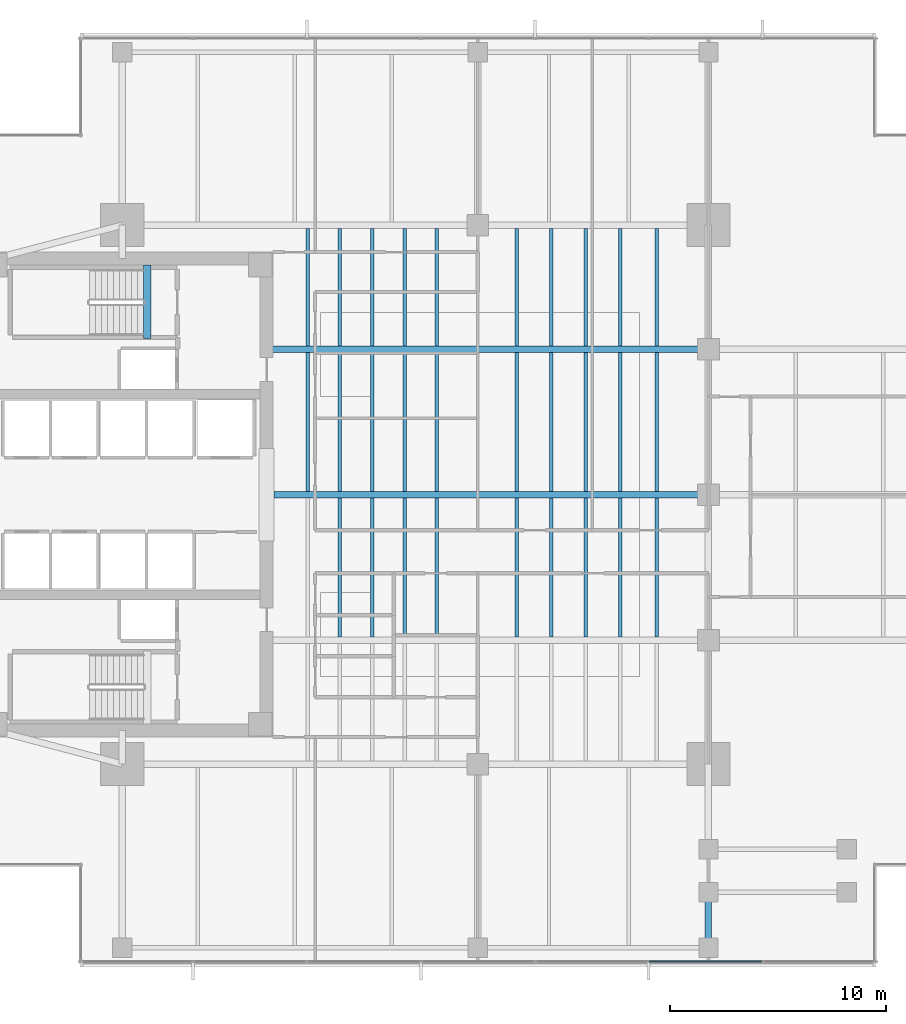
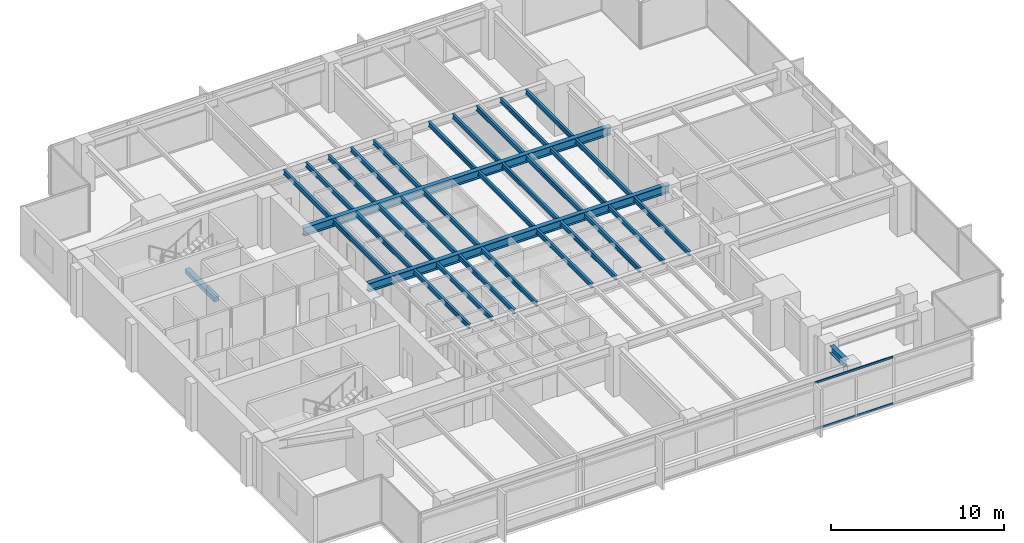
# One storey, part 4 of 15: 33 beams, 2 members, 1 element without a shape of its own.
"""IFC4 building model written with IfcOpenShell, lengths in metres."""

from ifc_helpers import new_model, si_unit, direction, frame, origin, origin_2d, place, context, subcontext, project, spatial, rectangle, i_section, extrude, material, layer, layer_set, material_profile, profile_set, type_object, element, aggregate, save


model = new_model("IFC4")

# Units and contexts
model_context = context("Model", 3, precision=1e-05, world=origin(), true_north=direction((0.0, 1.0)))
body_context = subcontext(model_context, "Body", "Model", "MODEL_VIEW")
ifc_project = project(units=[si_unit("LENGTHUNIT", "METRE"), si_unit("AREAUNIT", "SQUARE_METRE"), si_unit("VOLUMEUNIT", "CUBIC_METRE"), si_unit("PLANEANGLEUNIT", "RADIAN"), si_unit("MASSUNIT", "GRAM", prefix="KILO")], contexts=[model_context])

# Site, building, storey
site_placement = place(None, origin())
site = spatial("IfcSite", under=ifc_project, at=site_placement, CompositionType="ELEMENT")
building_placement = place(site_placement, origin())
building = spatial("IfcBuilding", under=site, at=building_placement, Name="Kinhvarn Gate Tower", CompositionType="ELEMENT")
storey_placement = place(building_placement, frame((0.0, 0.0, 169.699951171875)))
storey = spatial("IfcBuildingStorey", under=building, at=storey_placement, Name="L45", CompositionType="ELEMENT", Elevation=169.699951171875)

# Beam
ifc_material_1 = material(Name="Concrete C50/60", Category="concrete")
ifc_material_profile_1 = material_profile(ifc_material_1, rectangle(XDim=0.340087890625, YDim=0.320068359375, at=origin_2d()), Name="RC 340x320")
ifc_profile_set_1 = profile_set([ifc_material_profile_1], Name="Concrete C50/60")
beam_type_1 = type_object("IfcBeamType", Name="BM-LND-500", PredefinedType="BEAM", material=ifc_profile_set_1)
beam_1_placement = place(storey_placement, frame((12.1650390625, 32.5, -0.159912109375), z_axis=(0.0, 1.0, 0.0), x_axis=(-1.0, 0.0, 0.0)))
element("IfcBeam", 1, at=beam_1_placement, inside=storey, type_object=beam_type_1, Name="Stair ST2 Landing Nosing Beam (L45)", PredefinedType="BEAM", context=body_context, shape_type="SweptSolid", body=[
    extrude(rectangle(XDim=0.340087890625, YDim=0.320068359375, at=origin_2d()), origin(), (0.0, 0.0, 1.0), 3.39990234375),
])

# Curtain wall, members
ifc_material_2 = material(Name="Anodised aluminium AW-6063", Category="aluminium")
ifc_layer = layer(ifc_material_2, 0.179931640625)
ifc_layer_set = layer_set([ifc_layer], Name="Anodised aluminium AW-6063")
curtain_wall_type = type_object("IfcCurtainWallType", Name="CW-SYS-3", PredefinedType="NOTDEFINED", material=ifc_layer_set)
curtain_wall_placement = place(storey_placement, origin())
curtain_wall = element("IfcCurtainWall", 2, at=curtain_wall_placement, inside=storey, type_object=curtain_wall_type, Name="Curtain Wall CW3 (L45)", PredefinedType="NOTDEFINED")
ifc_material_profile_2 = material_profile(ifc_material_2, rectangle(XDim=0.070068359375, YDim=0.139892578125, at=origin_2d()), Name="ALU 70x140")
ifc_profile_set_2 = profile_set([ifc_material_profile_2], Name="Anodised aluminium AW-6063")
member_type = type_object("IfcMemberType", Name="CW-TRN-140", PredefinedType="USERDEFINED", material=ifc_profile_set_2)
member_1_placement = place(storey_placement, frame((35.461181640625, 3.590087890625, 0.03515625), z_axis=(1.0, 0.0, 0.0), x_axis=(0.0, 1.0, 0.0)))
member_1 = element("IfcMember", 3, at=member_1_placement, type_object=member_type, Name="CW3 transom 6.1", ObjectType="TRANSOM", PredefinedType="USERDEFINED", context=body_context, shape_type="SweptSolid", body=[
    extrude(rectangle(XDim=0.070068359375, YDim=0.139892578125, at=origin_2d()), origin(), (0.0, 0.0, 1.0), 5.220703125),
])
member_2_placement = place(storey_placement, frame((35.461181640625, 3.590087890625, 3.31494140625), z_axis=(1.0, 0.0, 0.0), x_axis=(0.0, 1.0, 0.0)))
member_2 = element("IfcMember", 4, at=member_2_placement, type_object=member_type, Name="CW3 transom 6.2", ObjectType="TRANSOM", PredefinedType="USERDEFINED", context=body_context, shape_type="SweptSolid", body=[
    extrude(rectangle(XDim=0.070068359375, YDim=0.139892578125, at=origin_2d()), origin(), (0.0, 0.0, 1.0), 5.220703125),
])
aggregate(curtain_wall, [member_1, member_2])

# Beams
ifc_material_3 = material(Name="Steel S355", Category="steel")
ifc_material_profile_3 = material_profile(ifc_material_3, i_section(OverallWidth=0.300048828125, OverallDepth=0.5, WebThickness=0.014404296875, FlangeThickness=0.028076171875, at=origin_2d()), Name="HEB 500")
ifc_profile_set_3 = profile_set([ifc_material_profile_3], Name="Steel S355")
beam_type_2 = type_object("IfcBeamType", Name="STL-HEB500", PredefinedType="BEAM", material=ifc_profile_set_3)
beam_2_placement = place(storey_placement, frame((38.199951171875, 4.655029296875, 3.10009765625), z_axis=(0.0, 1.0, 0.0), x_axis=(-1.0, 0.0, 0.0)))
element("IfcBeam", 5, at=beam_2_placement, inside=storey, type_object=beam_type_2, Name="Floor Beam PG-14 (L45 MCE-S-A0)", PredefinedType="BEAM", context=body_context, shape_type="SweptSolid", body=[
    extrude(i_section(OverallWidth=0.300048828125, OverallDepth=0.5, WebThickness=0.014404296875, FlangeThickness=0.028076171875, at=origin_2d()), origin(), (0.0, 0.0, 1.0), 1.7099609375),
])
ifc_material_profile_4 = material_profile(ifc_material_3, i_section(OverallWidth=0.300048828125, OverallDepth=0.60009765625, WebThickness=0.015380859375, FlangeThickness=0.030029296875, at=origin_2d()), Name="HEB 600")
ifc_profile_set_4 = profile_set([ifc_material_profile_4], Name="Steel S355")
beam_type_3 = type_object("IfcBeamType", Name="STL-HEB600", PredefinedType="BEAM", material=ifc_profile_set_4)
beam_3_placement = place(storey_placement, frame((18.050048828125, 25.25, 3.050048828125), z_axis=(1.0, 0.0, 0.0), x_axis=(0.0, 1.0, 0.0)))
element("IfcBeam", 6, at=beam_3_placement, inside=storey, type_object=beam_type_3, Name="Floor Beam PG-16 (L45 EW1-Y25)", PredefinedType="BEAM", context=body_context, shape_type="SweptSolid", body=[
    extrude(i_section(OverallWidth=0.300048828125, OverallDepth=0.60009765625, WebThickness=0.015380859375, FlangeThickness=0.030029296875, at=origin_2d()), origin(), (0.0, 0.0, 1.0), 20.14990234375),
])
beam_4_placement = place(storey_placement, frame((17.64990234375, 32.0, 3.050048828125), z_axis=(1.0, 0.0, 0.0), x_axis=(0.0, 1.0, 0.0)))
element("IfcBeam", 7, at=beam_4_placement, inside=storey, type_object=beam_type_3, Name="Floor Beam PG-16 (L45 EW1-Y32)", PredefinedType="BEAM", context=body_context, shape_type="SweptSolid", body=[
    extrude(i_section(OverallWidth=0.300048828125, OverallDepth=0.60009765625, WebThickness=0.015380859375, FlangeThickness=0.030029296875, at=origin_2d()), origin(), (0.0, 0.0, 1.0), 20.550048828125),
])
ifc_material_profile_5 = material_profile(ifc_material_3, i_section(OverallWidth=0.159912109375, OverallDepth=0.330078125, WebThickness=0.007568359375, FlangeThickness=0.011474609375, at=origin_2d()), Name="IPE 330")
ifc_profile_set_5 = profile_set([ifc_material_profile_5], Name="Steel S355")
beam_type_4 = type_object("IfcBeamType", Name="STL-IPE330", PredefinedType="JOIST", material=ifc_profile_set_5)
beam_5_placement = place(storey_placement, frame((19.60009765625, 25.39990234375, 3.18505859375), z_axis=(0.0, 1.0, 0.0), x_axis=(-1.0, 0.0, 0.0)))
element("IfcBeam", 8, at=beam_5_placement, inside=storey, type_object=beam_type_4, Name="Floor Joist SB-03 (L45 JC-X196-2)", PredefinedType="JOIST", context=body_context, shape_type="SweptSolid", body=[
    extrude(i_section(OverallWidth=0.159912109375, OverallDepth=0.330078125, WebThickness=0.007568359375, FlangeThickness=0.011474609375, at=origin_2d()), origin(), (0.0, 0.0, 1.0), 6.4501953125),
])
beam_6_placement = place(storey_placement, frame((19.60009765625, 32.14990234375, 3.18505859375), z_axis=(0.0, 1.0, 0.0), x_axis=(-1.0, 0.0, 0.0)))
element("IfcBeam", 9, at=beam_6_placement, inside=storey, type_object=beam_type_4, Name="Floor Joist SB-03 (L45 JC-X196-3)", PredefinedType="JOIST", context=body_context, shape_type="SweptSolid", body=[
    extrude(i_section(OverallWidth=0.159912109375, OverallDepth=0.330078125, WebThickness=0.007568359375, FlangeThickness=0.011474609375, at=origin_2d()), origin(), (0.0, 0.0, 1.0), 5.4501953125),
])
for number, where, z_axis, x_axis, name in (
    (10, (21.10009765625, 18.64990234375, 3.18505859375), (0.0, 1.0, 0.0), (-1.0, 0.0, 0.0), "Floor Joist SB-03 (L45 JC-X211-1)"),
    (11, (21.10009765625, 25.39990234375, 3.18505859375), (0.0, 1.0, 0.0), (-1.0, 0.0, 0.0), "Floor Joist SB-03 (L45 JC-X211-2)"),
):
    element("IfcBeam", number, at=place(storey_placement, frame(where, z_axis=z_axis, x_axis=x_axis)), inside=storey, type_object=beam_type_4, Name=name, PredefinedType="JOIST", context=body_context, shape_type="SweptSolid", body=[
        extrude(i_section(OverallWidth=0.159912109375, OverallDepth=0.330078125, WebThickness=0.007568359375, FlangeThickness=0.011474609375, at=origin_2d()), origin(), (0.0, 0.0, 1.0), 6.4501953125),
    ])
beam_7_placement = place(storey_placement, frame((21.10009765625, 32.14990234375, 3.18505859375), z_axis=(0.0, 1.0, 0.0), x_axis=(-1.0, 0.0, 0.0)))
element("IfcBeam", 12, at=beam_7_placement, inside=storey, type_object=beam_type_4, Name="Floor Joist SB-03 (L45 JC-X211-3)", PredefinedType="JOIST", context=body_context, shape_type="SweptSolid", body=[
    extrude(i_section(OverallWidth=0.159912109375, OverallDepth=0.330078125, WebThickness=0.007568359375, FlangeThickness=0.011474609375, at=origin_2d()), origin(), (0.0, 0.0, 1.0), 5.4501953125),
])
for number, where, z_axis, x_axis, name in (
    (13, (22.60009765625, 18.64990234375, 3.18505859375), (0.0, 1.0, 0.0), (-1.0, 0.0, 0.0), "Floor Joist SB-03 (L45 JC-X226-1)"),
    (14, (22.60009765625, 25.39990234375, 3.18505859375), (0.0, 1.0, 0.0), (-1.0, 0.0, 0.0), "Floor Joist SB-03 (L45 JC-X226-2)"),
):
    element("IfcBeam", number, at=place(storey_placement, frame(where, z_axis=z_axis, x_axis=x_axis)), inside=storey, type_object=beam_type_4, Name=name, PredefinedType="JOIST", context=body_context, shape_type="SweptSolid", body=[
        extrude(i_section(OverallWidth=0.159912109375, OverallDepth=0.330078125, WebThickness=0.007568359375, FlangeThickness=0.011474609375, at=origin_2d()), origin(), (0.0, 0.0, 1.0), 6.4501953125),
    ])
beam_8_placement = place(storey_placement, frame((22.60009765625, 32.14990234375, 3.18505859375), z_axis=(0.0, 1.0, 0.0), x_axis=(-1.0, 0.0, 0.0)))
element("IfcBeam", 15, at=beam_8_placement, inside=storey, type_object=beam_type_4, Name="Floor Joist SB-03 (L45 JC-X226-3)", PredefinedType="JOIST", context=body_context, shape_type="SweptSolid", body=[
    extrude(i_section(OverallWidth=0.159912109375, OverallDepth=0.330078125, WebThickness=0.007568359375, FlangeThickness=0.011474609375, at=origin_2d()), origin(), (0.0, 0.0, 1.0), 5.4501953125),
])
for number, where, z_axis, x_axis, name in (
    (16, (24.10009765625, 18.64990234375, 3.18505859375), (0.0, 1.0, 0.0), (-1.0, 0.0, 0.0), "Floor Joist SB-03 (L45 JC-X241-1)"),
    (17, (24.10009765625, 25.39990234375, 3.18505859375), (0.0, 1.0, 0.0), (-1.0, 0.0, 0.0), "Floor Joist SB-03 (L45 JC-X241-2)"),
):
    element("IfcBeam", number, at=place(storey_placement, frame(where, z_axis=z_axis, x_axis=x_axis)), inside=storey, type_object=beam_type_4, Name=name, PredefinedType="JOIST", context=body_context, shape_type="SweptSolid", body=[
        extrude(i_section(OverallWidth=0.159912109375, OverallDepth=0.330078125, WebThickness=0.007568359375, FlangeThickness=0.011474609375, at=origin_2d()), origin(), (0.0, 0.0, 1.0), 6.4501953125),
    ])
beam_9_placement = place(storey_placement, frame((24.10009765625, 32.14990234375, 3.18505859375), z_axis=(0.0, 1.0, 0.0), x_axis=(-1.0, 0.0, 0.0)))
element("IfcBeam", 18, at=beam_9_placement, inside=storey, type_object=beam_type_4, Name="Floor Joist SB-03 (L45 JC-X241-3)", PredefinedType="JOIST", context=body_context, shape_type="SweptSolid", body=[
    extrude(i_section(OverallWidth=0.159912109375, OverallDepth=0.330078125, WebThickness=0.007568359375, FlangeThickness=0.011474609375, at=origin_2d()), origin(), (0.0, 0.0, 1.0), 5.4501953125),
])
for number, where, z_axis, x_axis, name in (
    (19, (25.60009765625, 18.64990234375, 3.18505859375), (0.0, 1.0, 0.0), (-1.0, 0.0, 0.0), "Floor Joist SB-03 (L45 JC-X256-1)"),
    (20, (25.60009765625, 25.39990234375, 3.18505859375), (0.0, 1.0, 0.0), (-1.0, 0.0, 0.0), "Floor Joist SB-03 (L45 JC-X256-2)"),
):
    element("IfcBeam", number, at=place(storey_placement, frame(where, z_axis=z_axis, x_axis=x_axis)), inside=storey, type_object=beam_type_4, Name=name, PredefinedType="JOIST", context=body_context, shape_type="SweptSolid", body=[
        extrude(i_section(OverallWidth=0.159912109375, OverallDepth=0.330078125, WebThickness=0.007568359375, FlangeThickness=0.011474609375, at=origin_2d()), origin(), (0.0, 0.0, 1.0), 6.4501953125),
    ])
beam_10_placement = place(storey_placement, frame((25.60009765625, 32.14990234375, 3.18505859375), z_axis=(0.0, 1.0, 0.0), x_axis=(-1.0, 0.0, 0.0)))
element("IfcBeam", 21, at=beam_10_placement, inside=storey, type_object=beam_type_4, Name="Floor Joist SB-03 (L45 JC-X256-3)", PredefinedType="JOIST", context=body_context, shape_type="SweptSolid", body=[
    extrude(i_section(OverallWidth=0.159912109375, OverallDepth=0.330078125, WebThickness=0.007568359375, FlangeThickness=0.011474609375, at=origin_2d()), origin(), (0.0, 0.0, 1.0), 5.4501953125),
])
for number, where, z_axis, x_axis, name in (
    (22, (29.300048828125, 18.64990234375, 3.18505859375), (0.0, 1.0, 0.0), (-1.0, 0.0, 0.0), "Floor Joist SB-03 (L45 JC-X293-1)"),
    (23, (29.300048828125, 25.39990234375, 3.18505859375), (0.0, 1.0, 0.0), (-1.0, 0.0, 0.0), "Floor Joist SB-03 (L45 JC-X293-2)"),
):
    element("IfcBeam", number, at=place(storey_placement, frame(where, z_axis=z_axis, x_axis=x_axis)), inside=storey, type_object=beam_type_4, Name=name, PredefinedType="JOIST", context=body_context, shape_type="SweptSolid", body=[
        extrude(i_section(OverallWidth=0.159912109375, OverallDepth=0.330078125, WebThickness=0.007568359375, FlangeThickness=0.011474609375, at=origin_2d()), origin(), (0.0, 0.0, 1.0), 6.4501953125),
    ])
beam_11_placement = place(storey_placement, frame((29.300048828125, 32.14990234375, 3.18505859375), z_axis=(0.0, 1.0, 0.0), x_axis=(-1.0, 0.0, 0.0)))
element("IfcBeam", 24, at=beam_11_placement, inside=storey, type_object=beam_type_4, Name="Floor Joist SB-03 (L45 JC-X293-3)", PredefinedType="JOIST", context=body_context, shape_type="SweptSolid", body=[
    extrude(i_section(OverallWidth=0.159912109375, OverallDepth=0.330078125, WebThickness=0.007568359375, FlangeThickness=0.011474609375, at=origin_2d()), origin(), (0.0, 0.0, 1.0), 5.4501953125),
])
for number, where, z_axis, x_axis, name in (
    (25, (30.89990234375, 18.64990234375, 3.18505859375), (0.0, 1.0, 0.0), (-1.0, 0.0, 0.0), "Floor Joist SB-03 (L45 JC-X309-1)"),
    (26, (30.89990234375, 25.39990234375, 3.18505859375), (0.0, 1.0, 0.0), (-1.0, 0.0, 0.0), "Floor Joist SB-03 (L45 JC-X309-2)"),
):
    element("IfcBeam", number, at=place(storey_placement, frame(where, z_axis=z_axis, x_axis=x_axis)), inside=storey, type_object=beam_type_4, Name=name, PredefinedType="JOIST", context=body_context, shape_type="SweptSolid", body=[
        extrude(i_section(OverallWidth=0.159912109375, OverallDepth=0.330078125, WebThickness=0.007568359375, FlangeThickness=0.011474609375, at=origin_2d()), origin(), (0.0, 0.0, 1.0), 6.4501953125),
    ])
beam_12_placement = place(storey_placement, frame((30.89990234375, 32.14990234375, 3.18505859375), z_axis=(0.0, 1.0, 0.0), x_axis=(-1.0, 0.0, 0.0)))
element("IfcBeam", 27, at=beam_12_placement, inside=storey, type_object=beam_type_4, Name="Floor Joist SB-03 (L45 JC-X309-3)", PredefinedType="JOIST", context=body_context, shape_type="SweptSolid", body=[
    extrude(i_section(OverallWidth=0.159912109375, OverallDepth=0.330078125, WebThickness=0.007568359375, FlangeThickness=0.011474609375, at=origin_2d()), origin(), (0.0, 0.0, 1.0), 5.4501953125),
])
for number, where, z_axis, x_axis, name in (
    (28, (32.5, 18.64990234375, 3.18505859375), (0.0, 1.0, 0.0), (-1.0, 0.0, 0.0), "Floor Joist SB-03 (L45 JC-X325-1)"),
    (29, (32.5, 25.39990234375, 3.18505859375), (0.0, 1.0, 0.0), (-1.0, 0.0, 0.0), "Floor Joist SB-03 (L45 JC-X325-2)"),
):
    element("IfcBeam", number, at=place(storey_placement, frame(where, z_axis=z_axis, x_axis=x_axis)), inside=storey, type_object=beam_type_4, Name=name, PredefinedType="JOIST", context=body_context, shape_type="SweptSolid", body=[
        extrude(i_section(OverallWidth=0.159912109375, OverallDepth=0.330078125, WebThickness=0.007568359375, FlangeThickness=0.011474609375, at=origin_2d()), origin(), (0.0, 0.0, 1.0), 6.4501953125),
    ])
beam_13_placement = place(storey_placement, frame((32.5, 32.14990234375, 3.18505859375), z_axis=(0.0, 1.0, 0.0), x_axis=(-1.0, 0.0, 0.0)))
element("IfcBeam", 30, at=beam_13_placement, inside=storey, type_object=beam_type_4, Name="Floor Joist SB-03 (L45 JC-X325-3)", PredefinedType="JOIST", context=body_context, shape_type="SweptSolid", body=[
    extrude(i_section(OverallWidth=0.159912109375, OverallDepth=0.330078125, WebThickness=0.007568359375, FlangeThickness=0.011474609375, at=origin_2d()), origin(), (0.0, 0.0, 1.0), 5.4501953125),
])
for number, where, z_axis, x_axis, name in (
    (31, (34.10009765625, 18.64990234375, 3.18505859375), (0.0, 1.0, 0.0), (-1.0, 0.0, 0.0), "Floor Joist SB-03 (L45 JC-X341-1)"),
    (32, (34.10009765625, 25.39990234375, 3.18505859375), (0.0, 1.0, 0.0), (-1.0, 0.0, 0.0), "Floor Joist SB-03 (L45 JC-X341-2)"),
):
    element("IfcBeam", number, at=place(storey_placement, frame(where, z_axis=z_axis, x_axis=x_axis)), inside=storey, type_object=beam_type_4, Name=name, PredefinedType="JOIST", context=body_context, shape_type="SweptSolid", body=[
        extrude(i_section(OverallWidth=0.159912109375, OverallDepth=0.330078125, WebThickness=0.007568359375, FlangeThickness=0.011474609375, at=origin_2d()), origin(), (0.0, 0.0, 1.0), 6.4501953125),
    ])
beam_14_placement = place(storey_placement, frame((34.10009765625, 32.14990234375, 3.18505859375), z_axis=(0.0, 1.0, 0.0), x_axis=(-1.0, 0.0, 0.0)))
element("IfcBeam", 33, at=beam_14_placement, inside=storey, type_object=beam_type_4, Name="Floor Joist SB-03 (L45 JC-X341-3)", PredefinedType="JOIST", context=body_context, shape_type="SweptSolid", body=[
    extrude(i_section(OverallWidth=0.159912109375, OverallDepth=0.330078125, WebThickness=0.007568359375, FlangeThickness=0.011474609375, at=origin_2d()), origin(), (0.0, 0.0, 1.0), 5.4501953125),
])
for number, where, z_axis, x_axis, name in (
    (34, (35.800048828125, 18.64990234375, 3.18505859375), (0.0, 1.0, 0.0), (-1.0, 0.0, 0.0), "Floor Joist SB-03 (L45 JC-X358-1)"),
    (35, (35.800048828125, 25.39990234375, 3.18505859375), (0.0, 1.0, 0.0), (-1.0, 0.0, 0.0), "Floor Joist SB-03 (L45 JC-X358-2)"),
):
    element("IfcBeam", number, at=place(storey_placement, frame(where, z_axis=z_axis, x_axis=x_axis)), inside=storey, type_object=beam_type_4, Name=name, PredefinedType="JOIST", context=body_context, shape_type="SweptSolid", body=[
        extrude(i_section(OverallWidth=0.159912109375, OverallDepth=0.330078125, WebThickness=0.007568359375, FlangeThickness=0.011474609375, at=origin_2d()), origin(), (0.0, 0.0, 1.0), 6.4501953125),
    ])
beam_15_placement = place(storey_placement, frame((35.800048828125, 32.14990234375, 3.18505859375), z_axis=(0.0, 1.0, 0.0), x_axis=(-1.0, 0.0, 0.0)))
element("IfcBeam", 36, at=beam_15_placement, inside=storey, type_object=beam_type_4, Name="Floor Joist SB-03 (L45 JC-X358-3)", PredefinedType="JOIST", context=body_context, shape_type="SweptSolid", body=[
    extrude(i_section(OverallWidth=0.159912109375, OverallDepth=0.330078125, WebThickness=0.007568359375, FlangeThickness=0.011474609375, at=origin_2d()), origin(), (0.0, 0.0, 1.0), 5.4501953125),
])

save(model, "model.ifc")
